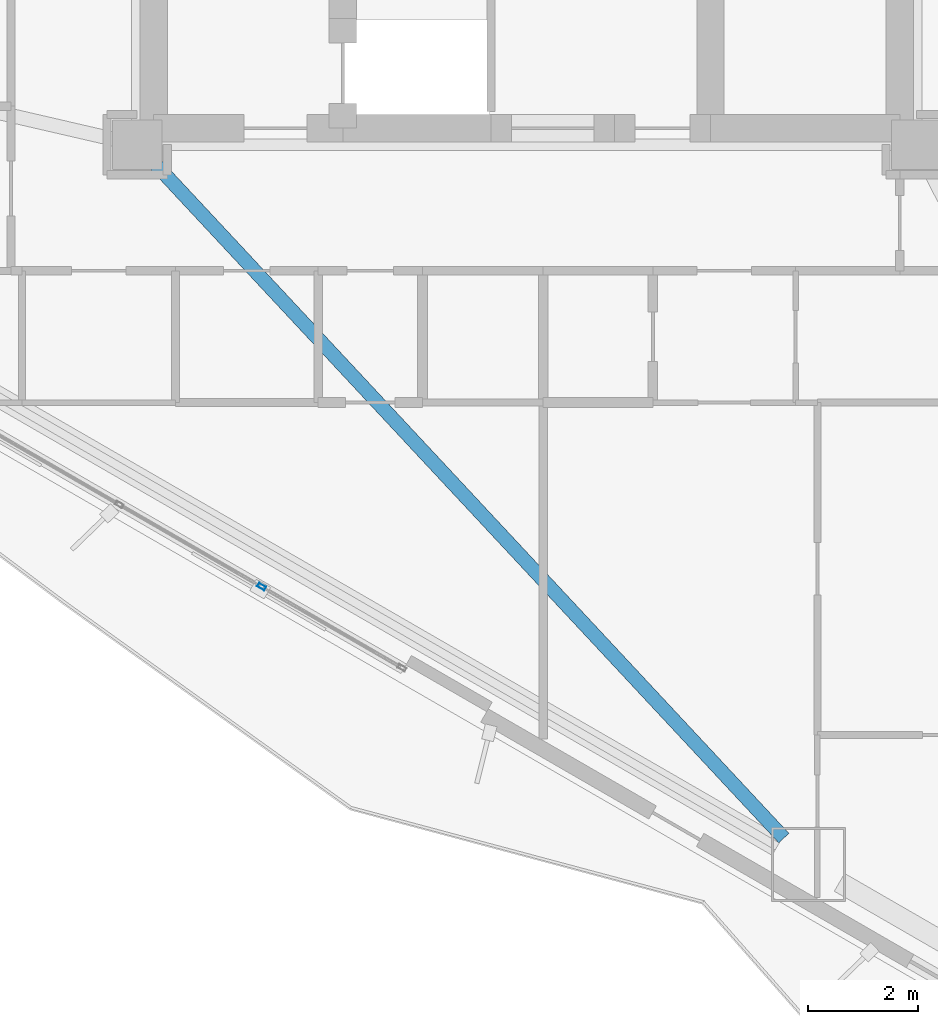
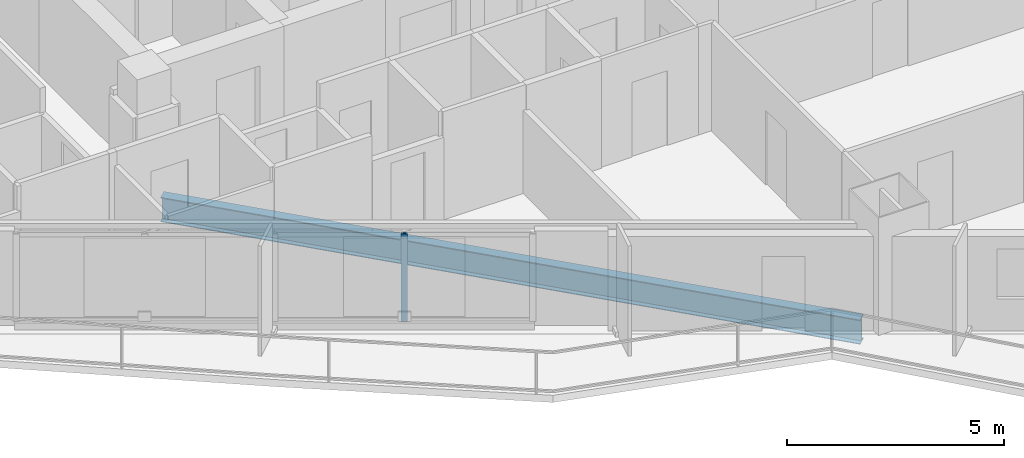
# One storey, part 4 of 19: 1 beam, 1 member, 1 element without a shape of its own.
"""IFC4 building model written with IfcOpenShell, lengths in metres."""

import ifcopenshell
import ifcopenshell.guid

model = None  # the IFC model being written
_history = None  # IfcOwnerHistory: only IFC2X3 demands one
_inside = {}  # id of a spatial element -> (the spatial element, [elements in it])
_under = {}  # id of a project, library or spatial element -> (it, [spatial elements below it])
_declared = {}  # id of a project -> (the project, [libraries it declares])
_typed = {}  # id of a type object -> (the type object, [elements of that type])
_made_of = {}  # id of a material, layer set ... -> (it, [elements and type objects made of it])


def new_model(schema):
    """Start an empty IFC model of exactly this schema.

    Asked for "IFC4X3", IfcOpenShell would pick the latest addendum, in which some entities
    have other attributes; the version numbers below select the first issue.
    IFC2X3 requires an IfcOwnerHistory on every rooted entity: one is made here for all.
    """
    global model, _history
    if schema == "IFC4X3":
        model = ifcopenshell.file(schema_version=(4, 3, 0, 0))
    else:
        model = ifcopenshell.file(schema=schema)
    _inside.clear()
    _under.clear()
    _declared.clear()
    _typed.clear()
    _made_of.clear()
    _history = None
    if model.schema == "IFC2X3":
        org = make("IfcOrganization", Name="unknown")
        user = make(
            "IfcPersonAndOrganization",
            ThePerson=make("IfcPerson", FamilyName="unknown"),
            TheOrganization=org,
        )
        app = make(
            "IfcApplication",
            ApplicationDeveloper=org,
            Version="unknown",
            ApplicationFullName="unknown",
            ApplicationIdentifier="unknown",
        )
        _history = make(
            "IfcOwnerHistory",
            OwningUser=user,
            OwningApplication=app,
            ChangeAction="ADDED",
            CreationDate=0,
        )
    return model


def make(cls, **values):
    """One entity of the class cls with the attributes given. An attribute that is None is left unset."""
    return model.create_entity(
        cls, **{name: value for name, value in values.items() if value is not None}
    )


def rooted(cls, **values):
    """An entity with a GlobalId (a new one), such as an element, a storey or a relation."""
    return make(cls, GlobalId=ifcopenshell.guid.new(), OwnerHistory=_history, **values)


def si_unit(unit_type, name, prefix=None):
    """IfcSIUnit, for example si_unit("LENGTHUNIT", "METRE", prefix="MILLI")."""
    return make("IfcSIUnit", UnitType=unit_type, Prefix=prefix, Name=name)


def assignment(units):
    """IfcUnitAssignment: the units of a project."""
    return None if units is None else make("IfcUnitAssignment", Units=units)


def point(xyz):
    """IfcCartesianPoint."""
    return None if xyz is None else make("IfcCartesianPoint", Coordinates=xyz)


def direction(xyz):
    """IfcDirection."""
    return None if xyz is None else make("IfcDirection", DirectionRatios=xyz)


def frame(location, z_axis=None, x_axis=None):
    """IfcAxis2Placement3D, a coordinate frame: its origin and axes. An axis left out is left unset."""
    return make(
        "IfcAxis2Placement3D",
        Location=point(location),
        Axis=direction(z_axis),
        RefDirection=direction(x_axis),
    )


def frame_2d(location, x_axis=None):
    """IfcAxis2Placement2D, a coordinate frame in the plane: its origin and x axis."""
    return make(
        "IfcAxis2Placement2D", Location=point(location), RefDirection=direction(x_axis)
    )


def origin():
    """The frame at (0, 0, 0) with its axes left unset."""
    return frame((0.0, 0.0, 0.0))


def origin_2d():
    """The frame at (0, 0) in the plane with its x axis left unset."""
    return frame_2d((0.0, 0.0))


def place(relative_to, where):
    """IfcLocalPlacement: puts the frame where relative to a parent placement (None: the world)."""
    return make(
        "IfcLocalPlacement", PlacementRelTo=relative_to, RelativePlacement=where
    )


def context(
    kind, dimensions, precision=None, world=None, true_north=None, identifier=None
):
    """IfcGeometricRepresentationContext, for example the 3D "Model" context."""
    return make(
        "IfcGeometricRepresentationContext",
        ContextIdentifier=identifier,
        ContextType=kind,
        CoordinateSpaceDimension=dimensions,
        Precision=precision,
        WorldCoordinateSystem=world,
        TrueNorth=true_north,
    )


def subcontext(parent, identifier, kind, view, scale=None):
    """IfcGeometricRepresentationSubContext, for example "Body" below "Model"."""
    return make(
        "IfcGeometricRepresentationSubContext",
        ContextIdentifier=identifier,
        ContextType=kind,
        ParentContext=parent,
        TargetScale=scale,
        TargetView=view,
    )


def project(units=None, contexts=None):
    """IfcProject with its units and contexts."""
    return rooted(
        "IfcProject",
        Name="project",
        RepresentationContexts=contexts,
        UnitsInContext=assignment(units),
    )


def spatial(cls, under=None, at=None, **own):
    """A site, building, storey or space (cls), placed at a placement, below another one or the project."""
    s = rooted(cls, ObjectPlacement=at, **own)
    if under is not None:
        _under.setdefault(under.id(), (under, []))[1].append(s)
    return s


def profile(cls, at=None, kind="AREA", **sizes):
    """A parametric profile (cls). Its sizes go by their IFC names, for example OverallWidth=200.0."""
    return make(cls, ProfileType=kind, Position=at, **sizes)


def hollow_rectangle(**sizes):
    """IfcRectangleHollowProfileDef."""
    return profile("IfcRectangleHollowProfileDef", **sizes)


def i_section(**sizes):
    """IfcIShapeProfileDef."""
    return profile("IfcIShapeProfileDef", **sizes)


def extrude(swept, where, along, depth):
    """IfcExtrudedAreaSolid: the profile swept, set in the frame where, extruded along a direction by depth."""
    return make(
        "IfcExtrudedAreaSolid",
        SweptArea=swept,
        Position=where,
        ExtrudedDirection=direction(along),
        Depth=depth,
    )


def shape(context_of_items, identifier, shape_type, items):
    """IfcShapeRepresentation: the items that make up one representation, for example the "Body"."""
    return make(
        "IfcShapeRepresentation",
        ContextOfItems=context_of_items,
        RepresentationIdentifier=identifier,
        RepresentationType=shape_type,
        Items=items,
    )


def material(Name=None, Category=None):
    """IfcMaterial."""
    return make("IfcMaterial", Name=Name, Category=Category)


def layer(
    of_material, thickness, ventilated=None, Name=None, Category=None, Priority=None
):
    """IfcMaterialLayer: one layer of a wall or slab, of a material (None: an air gap)."""
    return make(
        "IfcMaterialLayer",
        Material=of_material,
        LayerThickness=thickness,
        IsVentilated=ventilated,
        Name=Name,
        Category=Category,
        Priority=Priority,
    )


def layer_set(layers, Name=None):
    """IfcMaterialLayerSet."""
    return make("IfcMaterialLayerSet", MaterialLayers=layers, LayerSetName=Name)


def material_profile(
    of_material, cross_section, Name=None, Category=None, Priority=None
):
    """IfcMaterialProfile: a cross section and its material."""
    return make(
        "IfcMaterialProfile",
        Name=Name,
        Material=of_material,
        Profile=cross_section,
        Priority=Priority,
        Category=Category,
    )


def profile_set(profiles, Name=None, composite=None):
    """IfcMaterialProfileSet."""
    return make(
        "IfcMaterialProfileSet",
        Name=Name,
        MaterialProfiles=profiles,
        CompositeProfile=composite,
    )


def made_of(thing, what):
    """Note that an element or type object is made of a material, layer set ...; save() writes the relation."""
    if what is not None:
        _made_of.setdefault(what.id(), (what, []))[1].append(thing)
    return thing


def type_object(cls, material=None, **own):
    """A type object (cls), such as IfcWallType, which elements share."""
    return made_of(rooted(cls, **own), material)


def element(
    cls,
    number,
    at=None,
    inside=None,
    cuts=None,
    type_object=None,
    material=None,
    context=None,
    identifier="Body",
    shape_type=None,
    held_by="IfcProductDefinitionShape",
    body=None,
    shapes=None,
    **own,
):
    """One element of the class cls, such as IfcWall. Its Tag is "e" and its number.

    at: its placement. inside: the storey or other place that contains it. cuts: it is an
    opening in that element (IfcRelVoidsElement). A single representation is given by context,
    identifier, shape_type and body (its items); several are given by shapes. held_by: the class
    of the entity that holds the representations. save() writes the other relations.
    """
    e = rooted(cls, Tag="e%d" % number, ObjectPlacement=at, **own)
    if body is not None:
        shapes = [shape(context, identifier, shape_type, body)]
    if shapes is not None:
        e.Representation = make(held_by, Representations=shapes)
    if inside is not None:
        _inside.setdefault(inside.id(), (inside, []))[1].append(e)
    if cuts is not None:
        rooted(
            "IfcRelVoidsElement", RelatingBuildingElement=cuts, RelatedOpeningElement=e
        )
    if type_object is not None:
        _typed.setdefault(type_object.id(), (type_object, []))[1].append(e)
    return made_of(e, material)


def aggregate(whole, parts):
    """IfcRelAggregates: a whole, such as a stair, and the parts it consists of."""
    return rooted("IfcRelAggregates", RelatingObject=whole, RelatedObjects=parts)


def save(model, path):
    """Write the relations noted so far, then the file.

    IfcRelAggregates (storeys below a building ...), IfcRelContainedInSpatialStructure (elements
    in a storey), IfcRelDefinesByType, IfcRelAssociatesMaterial and IfcRelDeclares: one each for
    every whole, place, type object, material and project.
    """
    for whole, parts in _under.values():
        aggregate(whole, parts)
    for where, things in _inside.values():
        rooted(
            "IfcRelContainedInSpatialStructure",
            RelatedElements=things,
            RelatingStructure=where,
        )
    for kind, things in _typed.values():
        rooted("IfcRelDefinesByType", RelatedObjects=things, RelatingType=kind)
    for what, things in _made_of.values():
        rooted("IfcRelAssociatesMaterial", RelatedObjects=things, RelatingMaterial=what)
    for by, libraries in _declared.values():
        rooted("IfcRelDeclares", RelatingContext=by, RelatedDefinitions=libraries)
    model.write(path)


model = new_model("IFC4")

# Units and contexts
model_context = context("Model", 3, precision=1e-05, world=origin(), true_north=direction((0.0, 1.0)))
body_context = subcontext(model_context, "Body", "Model", "MODEL_VIEW")
ifc_project = project(units=[si_unit("LENGTHUNIT", "METRE"), si_unit("AREAUNIT", "SQUARE_METRE"), si_unit("VOLUMEUNIT", "CUBIC_METRE"), si_unit("PLANEANGLEUNIT", "RADIAN"), si_unit("MASSUNIT", "GRAM", prefix="KILO")], contexts=[model_context])

# Site, building, storey
site_placement = place(None, origin())
site = spatial("IfcSite", under=ifc_project, at=site_placement, CompositionType="ELEMENT")
building_placement = place(site_placement, origin())
building = spatial("IfcBuilding", under=site, at=building_placement, Name="Mersakhor Tower and Convention Hall", CompositionType="ELEMENT")
storey_placement = place(building_placement, frame((0.0, 0.0, 48.89990234375)))
storey = spatial("IfcBuildingStorey", under=building, at=storey_placement, Name="L13", CompositionType="ELEMENT", Elevation=48.89990234375)

# Beam
ifc_material_1 = material(Name="Steel S355", Category="steel")
ifc_material_profile_1 = material_profile(ifc_material_1, i_section(OverallWidth=0.25439453125, OverallDepth=0.6875, WebThickness=0.01318359375, FlangeThickness=0.02099609375, at=origin_2d()), Name="UB 686x254x152")
ifc_profile_set_1 = profile_set([ifc_material_profile_1], Name="Steel S355")
beam_type = type_object("IfcBeamType", Name="BM-PR-686", PredefinedType="BEAM", material=ifc_profile_set_1)
beam_placement = place(storey_placement, frame((22.193359375, 20.135498046875, -0.603515625), z_axis=(0.68200435324, -0.731348112845, 0.0), x_axis=(0.731348112845, 0.68200435324, 0.0)))
element("IfcBeam", 1, at=beam_placement, inside=storey, type_object=beam_type, Name="L13 Primary Floor Girder FG-5", PredefinedType="BEAM", context=body_context, shape_type="SweptSolid", body=[
    extrude(i_section(OverallWidth=0.25439453125, OverallDepth=0.6875, WebThickness=0.01318359375, FlangeThickness=0.02099609375, at=origin_2d()), origin(), (0.0, 0.0, 1.0), 16.85205078125),
])

# Curtain wall, member
ifc_material_2 = material(Name="Dark solar low-E aluminium curtain wall", Category="aluminium")
ifc_layer = layer(ifc_material_2, 0.159912109375)
ifc_layer_set = layer_set([ifc_layer], Name="Dark solar low-E aluminium curtain wall")
curtain_wall_type = type_object("IfcCurtainWallType", Name="CW-SYS-01", PredefinedType="USERDEFINED", material=ifc_layer_set)
curtain_wall_placement = place(storey_placement, origin())
curtain_wall = element("IfcCurtainWall", 2, at=curtain_wall_placement, inside=storey, type_object=curtain_wall_type, Name="L13 Dark-Glass Curtain Wall F3-B2", ObjectType="CURTAIN WALL", PredefinedType="USERDEFINED")
ifc_material_3 = material(Name="Anodised aluminium EN AW-6063 T6", Category="aluminium")
ifc_material_profile_2 = material_profile(ifc_material_3, hollow_rectangle(XDim=0.074951171875, YDim=0.14990234375, WallThickness=0.00634765625, at=origin_2d()), Name="RHS 150x75x6.3")
ifc_profile_set_2 = profile_set([ifc_material_profile_2], Name="Anodised aluminium EN AW-6063 T6")
member_type = type_object("IfcMemberType", Name="CWM-150x75", PredefinedType="MULLION", material=ifc_profile_set_2)
member_placement = place(storey_placement, frame((24.167236328125, 12.392822265625, 0.2001953125), z_axis=(0.0, 0.0, 1.0), x_axis=(-0.50000344889, -0.866023412558, 0.0)))
member = element("IfcMember", 3, at=member_placement, type_object=member_type, Name="CW-01 mullion 2", PredefinedType="MULLION", context=body_context, shape_type="SweptSolid", body=[
    extrude(hollow_rectangle(XDim=0.074951171875, YDim=0.14990234375, WallThickness=0.00634765625, at=origin_2d()), origin(), (0.0, 0.0, 1.0), 2.4599609375),
])
aggregate(curtain_wall, [member])

save(model, "model.ifc")
